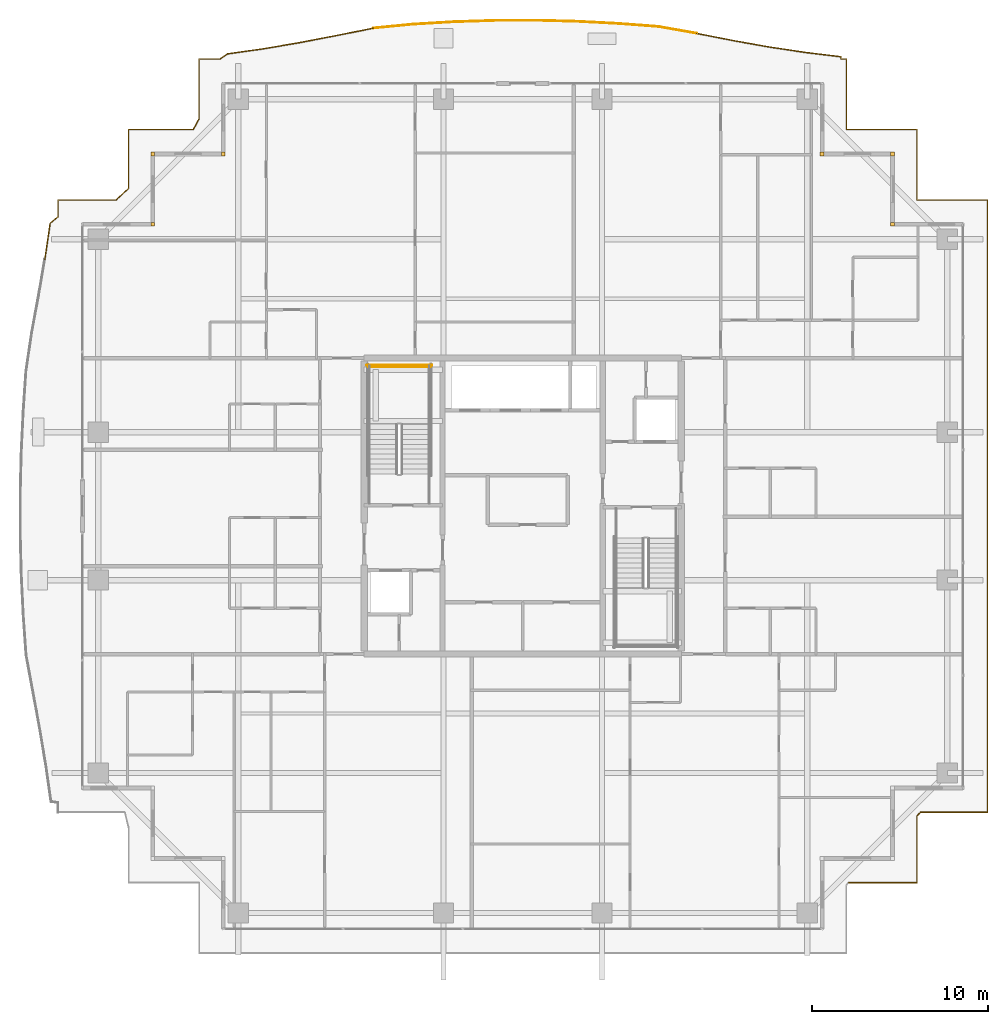
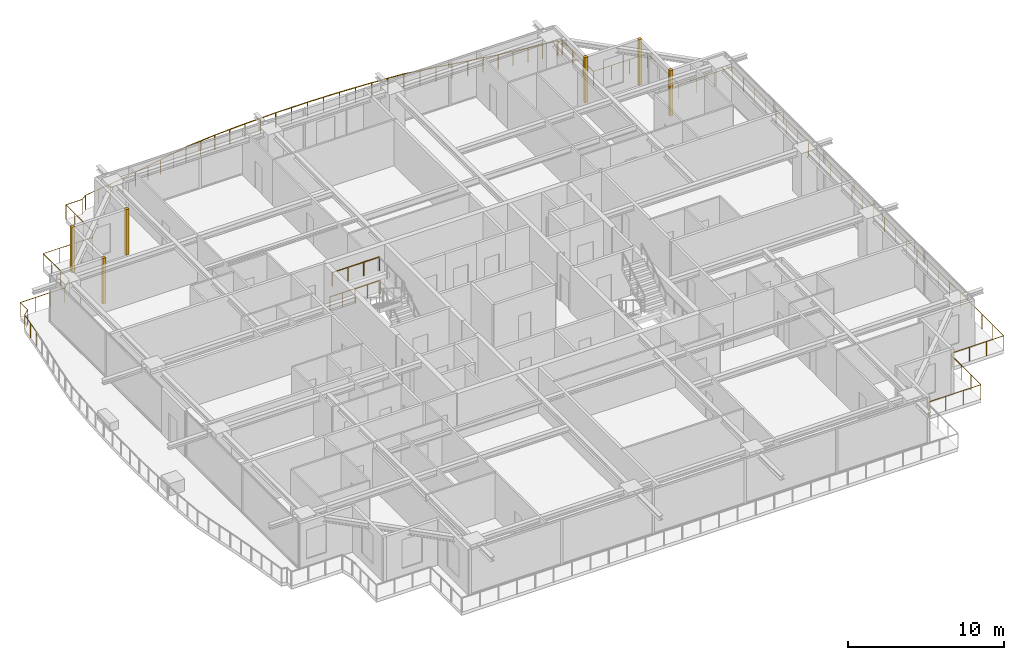
# One storey, part 38 of 38: 7 railings, 6 coverings.
"""IFC4 building model written with IfcOpenShell, lengths in metres."""

from ifc_helpers import new_model, si_unit, direction, frame, origin, origin_2d, place, context, subcontext, project, spatial, rectangle, circle, extrude, source, transform, mapped, material, layer, layer_set, type_object, element, save


model = new_model("IFC4")

# Units and contexts
model_context = context("Model", 3, precision=1e-05, world=origin(), true_north=direction((0.0, 1.0)))
body_context = subcontext(model_context, "Body", "Model", "MODEL_VIEW")
ifc_project = project(units=[si_unit("LENGTHUNIT", "METRE"), si_unit("AREAUNIT", "SQUARE_METRE"), si_unit("VOLUMEUNIT", "CUBIC_METRE"), si_unit("PLANEANGLEUNIT", "RADIAN"), si_unit("MASSUNIT", "GRAM", prefix="KILO")], contexts=[model_context])

# Site, building, storey
site_placement = place(None, origin())
site = spatial("IfcSite", under=ifc_project, at=site_placement, CompositionType="ELEMENT")
building_placement = place(site_placement, origin())
building = spatial("IfcBuilding", under=site, at=building_placement, Name="Serunith Strait Residences", CompositionType="ELEMENT")
storey_placement = place(building_placement, frame((0.0, 0.0, 237.39990234375)))
storey = spatial("IfcBuildingStorey", under=building, at=storey_placement, Name="L59", CompositionType="ELEMENT", Elevation=237.39990234375)

# Railings
ifc_material_1 = material(Name="Stainless Steel & Laminated Glass Balustrade", Category="steel")
railing_type_1 = type_object("IfcRailingType", Name="RLG-BALC-1150", PredefinedType="BALUSTRADE", material=ifc_material_1)
railing_1_placement = place(storey_placement, frame((5.271728515625, 39.21630859375, -0.0498046875)))
element("IfcRailing", 1, at=railing_1_placement, inside=storey, type_object=railing_type_1, Name="L59 Swirling Balcony Perimeter Balustrade 3", PredefinedType="BALUSTRADE", context=body_context, shape_type="SweptSolid", body=[
    extrude(circle(Radius=0.02392578125, at=origin_2d()), frame((0.000244140625, 0.001953125, 1.1259765625), z_axis=(0.14618741944, 0.989256912231, 0.0), x_axis=(-0.989256912231, 0.14618741944, 0.0)), (0.0, 0.0, 1.0), 2.053466796875),
    extrude(circle(Radius=0.02392578125, at=origin_2d()), frame((0.30224609375, 2.03662109375, 1.1259765625), z_axis=(0.762565105344, 0.646911477802, 0.0), x_axis=(-0.646911477802, 0.762565105344, 0.0)), (0.0, 0.0, 1.0), 0.582763671875),
    extrude(circle(Radius=0.02392578125, at=origin_2d()), frame((0.748291015625, 2.4169921875, 1.1259765625), z_axis=(0.0, 1.0, 0.0), x_axis=(-1.0, 0.0, 0.0)), (0.0, 0.0, 1.0), 0.94482421875),
    extrude(circle(Radius=0.02392578125, at=origin_2d()), frame((0.750244140625, 3.36376953125, 1.1259765625), z_axis=(1.0, 0.0, 0.0), x_axis=(0.0, 1.0, 0.0)), (0.0, 0.0, 1.0), 3.298828125),
    extrude(circle(Radius=0.02392578125, at=origin_2d()), frame((4.052490234375, 3.365234375, 1.1259765625), z_axis=(0.729728407582, 0.68373712139, 0.0), x_axis=(-0.68373712139, 0.729728407582, 0.0)), (0.0, 0.0, 1.0), 0.951416015625),
    extrude(circle(Radius=0.02392578125, at=origin_2d()), frame((4.748291015625, 4.01904296875, 1.1259765625), z_axis=(0.0, 1.0, 0.0), x_axis=(-1.0, 0.0, 0.0)), (0.0, 0.0, 1.0), 3.3427734375),
    extrude(circle(Radius=0.02392578125, at=origin_2d()), frame((4.750244140625, 7.36376953125, 1.1259765625), z_axis=(1.0, 0.0, 0.0), x_axis=(0.0, 1.0, 0.0)), (0.0, 0.0, 1.0), 3.673095703125),
    extrude(circle(Radius=0.02099609375, at=origin_2d()), origin(), (0.0, 0.0, 1.0), 1.099853515625),
    extrude(circle(Radius=0.02099609375, at=origin_2d()), frame((0.150390625, 1.017578125, 0.0)), (0.0, 0.0, 1.0), 1.099853515625),
    extrude(circle(Radius=0.02099609375, at=origin_2d()), frame((0.30078125, 2.035400390625, 0.0)), (0.0, 0.0, 1.0), 1.099853515625),
    extrude(circle(Radius=0.02099609375, at=origin_2d()), frame((0.748291015625, 2.4150390625, 0.0)), (0.0, 0.0, 1.0), 1.099853515625),
    extrude(circle(Radius=0.02099609375, at=origin_2d()), frame((0.748291015625, 3.36376953125, 0.0)), (0.0, 0.0, 1.0), 1.099853515625),
    extrude(circle(Radius=0.02099609375, at=origin_2d()), frame((1.84912109375, 3.36376953125, 0.0)), (0.0, 0.0, 1.0), 1.099853515625),
    extrude(circle(Radius=0.02099609375, at=origin_2d()), frame((2.9501953125, 3.36376953125, 0.0)), (0.0, 0.0, 1.0), 1.099853515625),
    extrude(circle(Radius=0.02099609375, at=origin_2d()), frame((4.051025390625, 3.36376953125, 0.0)), (0.0, 0.0, 1.0), 1.099853515625),
    extrude(circle(Radius=0.02099609375, at=origin_2d()), frame((4.748291015625, 4.01708984375, 0.0)), (0.0, 0.0, 1.0), 1.099853515625),
    extrude(circle(Radius=0.02099609375, at=origin_2d()), frame((4.748291015625, 5.132568359375, 0.0)), (0.0, 0.0, 1.0), 1.099853515625),
    extrude(circle(Radius=0.02099609375, at=origin_2d()), frame((4.748291015625, 6.248291015625, 0.0)), (0.0, 0.0, 1.0), 1.099853515625),
    extrude(circle(Radius=0.02099609375, at=origin_2d()), frame((4.748291015625, 7.36376953125, 0.0)), (0.0, 0.0, 1.0), 1.099853515625),
    extrude(circle(Radius=0.02099609375, at=origin_2d()), frame((5.973876953125, 7.36376953125, 0.0)), (0.0, 0.0, 1.0), 1.099853515625),
    extrude(circle(Radius=0.02099609375, at=origin_2d()), frame((7.19970703125, 7.36376953125, 0.0)), (0.0, 0.0, 1.0), 1.099853515625),
    extrude(circle(Radius=0.02099609375, at=origin_2d()), frame((8.42529296875, 7.36376953125, 0.0)), (0.0, 0.0, 1.0), 1.099853515625),
])
railing_2_placement = place(storey_placement, frame((13.697021484375, 46.580078125, -0.0498046875)))
element("IfcRailing", 2, at=railing_2_placement, inside=storey, type_object=railing_type_1, Name="L59 Swirling Balcony Perimeter Balustrade 4", PredefinedType="BALUSTRADE", context=body_context, shape_type="SweptSolid", body=[
    extrude(circle(Radius=0.02392578125, at=origin_2d()), frame((0.0009765625, 0.001708984375, 1.1259765625), z_axis=(0.482450608599, 0.875923176005, 0.0), x_axis=(-0.875923176005, 0.482450608599, 0.0)), (0.0, 0.0, 1.0), 0.66552734375),
    extrude(circle(Radius=0.02392578125, at=origin_2d()), frame((0.322998046875, 0.58837890625, 1.1259765625), z_axis=(0.0, 1.0, 0.0), x_axis=(-1.0, 0.0, 0.0)), (0.0, 0.0, 1.0), 3.40966796875),
    extrude(circle(Radius=0.02392578125, at=origin_2d()), frame((0.324951171875, 4.0, 1.1259765625), z_axis=(1.0, 0.0, 0.0), x_axis=(0.0, 1.0, 0.0)), (0.0, 0.0, 1.0), 1.194580078125),
    extrude(circle(Radius=0.02392578125, at=origin_2d()), frame((1.523193359375, 4.001220703125, 1.1259765625), z_axis=(0.819276517695, 0.573398628839, 0.0), x_axis=(-0.573398628839, 0.819276517695, 0.0)), (0.0, 0.0, 1.0), 0.51025390625),
    extrude(circle(Radius=0.02392578125, at=origin_2d()), frame((1.94482421875, 4.295166015625, 1.1259765625), z_axis=(0.990149370636, 0.140015084291, 0.0), x_axis=(-0.140015084291, 0.990149370636, 0.0)), (0.0, 0.0, 1.0), 2.037841796875),
    extrude(circle(Radius=0.02392578125, at=origin_2d()), frame((3.966552734375, 4.5810546875, 1.1259765625), z_axis=(0.985820754748, 0.167801786364, 0.0), x_axis=(-0.167801786364, 0.985820754748, 0.0)), (0.0, 0.0, 1.0), 2.06640625),
    extrude(circle(Radius=0.02392578125, at=origin_2d()), frame((6.007568359375, 4.9287109375, 1.1259765625), z_axis=(0.982046723557, 0.188637834888, 0.0), x_axis=(-0.188637834888, 0.982046723557, 0.0)), (0.0, 0.0, 1.0), 2.11328125),
    extrude(circle(Radius=0.02392578125, at=origin_2d()), frame((8.0869140625, 5.328125, 1.1259765625), z_axis=(0.980731095619, 0.195362529892, 0.0), x_axis=(-0.195362529892, 0.980731095619, 0.0)), (0.0, 0.0, 1.0), 2.1767578125),
    extrude(circle(Radius=0.02099609375, at=origin_2d()), origin(), (0.0, 0.0, 1.0), 1.099853515625),
    extrude(circle(Radius=0.02099609375, at=origin_2d()), frame((0.322998046875, 0.58642578125, 0.0)), (0.0, 0.0, 1.0), 1.099853515625),
    extrude(circle(Radius=0.02099609375, at=origin_2d()), frame((0.322998046875, 1.724365234375, 0.0)), (0.0, 0.0, 1.0), 1.099853515625),
    extrude(circle(Radius=0.02099609375, at=origin_2d()), frame((0.322998046875, 2.862060546875, 0.0)), (0.0, 0.0, 1.0), 1.099853515625),
    extrude(circle(Radius=0.02099609375, at=origin_2d()), frame((0.322998046875, 4.0, 0.0)), (0.0, 0.0, 1.0), 1.099853515625),
    extrude(circle(Radius=0.02099609375, at=origin_2d()), frame((1.521484375, 4.0, 0.0)), (0.0, 0.0, 1.0), 1.099853515625),
    extrude(circle(Radius=0.02099609375, at=origin_2d()), frame((1.94287109375, 4.294921875, 0.0)), (0.0, 0.0, 1.0), 1.099853515625),
    extrude(circle(Radius=0.02099609375, at=origin_2d()), frame((2.95361328125, 4.43798828125, 0.0)), (0.0, 0.0, 1.0), 1.099853515625),
    extrude(circle(Radius=0.02099609375, at=origin_2d()), frame((3.964599609375, 4.580810546875, 0.0)), (0.0, 0.0, 1.0), 1.099853515625),
    extrude(circle(Radius=0.02099609375, at=origin_2d()), frame((4.985107421875, 4.75439453125, 0.0)), (0.0, 0.0, 1.0), 1.099853515625),
    extrude(circle(Radius=0.02099609375, at=origin_2d()), frame((6.005615234375, 4.92822265625, 0.0)), (0.0, 0.0, 1.0), 1.099853515625),
    extrude(circle(Radius=0.02099609375, at=origin_2d()), frame((7.04541015625, 5.1279296875, 0.0)), (0.0, 0.0, 1.0), 1.099853515625),
    extrude(circle(Radius=0.02099609375, at=origin_2d()), frame((8.0849609375, 5.32763671875, 0.0)), (0.0, 0.0, 1.0), 1.099853515625),
    extrude(circle(Radius=0.02099609375, at=origin_2d()), frame((9.154296875, 5.54052734375, 0.0)), (0.0, 0.0, 1.0), 1.099853515625),
    extrude(circle(Radius=0.02099609375, at=origin_2d()), frame((10.2236328125, 5.753662109375, 0.0)), (0.0, 0.0, 1.0), 1.099853515625),
])
railing_3_placement = place(storey_placement, frame((23.920654296875, 52.333740234375, -0.0498046875)))
element("IfcRailing", 3, at=railing_3_placement, inside=storey, type_object=railing_type_1, Name="L59 Swirling Balcony Perimeter Balustrade 5", PredefinedType="BALUSTRADE", context=body_context, shape_type="SweptSolid", body=[
    extrude(circle(Radius=0.02392578125, at=origin_2d()), frame((0.001953125, 0.000244140625, 1.1259765625), z_axis=(0.995311334487, 0.096723045044, 0.0), x_axis=(-0.096723045044, 0.995311334487, 0.0)), (0.0, 0.0, 1.0), 2.26513671875),
    extrude(circle(Radius=0.02392578125, at=origin_2d()), frame((2.260498046875, 0.219482421875, 1.1259765625), z_axis=(0.998286733599, 0.058511516125, 0.0), x_axis=(-0.058511516125, 0.998286733599, 0.0)), (0.0, 0.0, 1.0), 2.3076171875),
    extrude(circle(Radius=0.02392578125, at=origin_2d()), frame((4.568115234375, 0.354736328125, 1.1259765625), z_axis=(0.99947466628, 0.032409743363, 0.0), x_axis=(-0.032409743363, 0.99947466628, 0.0)), (0.0, 0.0, 1.0), 2.331298828125),
    extrude(circle(Radius=0.02392578125, at=origin_2d()), frame((6.902099609375, 0.430419921875, 1.1259765625), z_axis=(0.99999373619, 0.003539432337, 0.0), x_axis=(-0.003539432337, 0.99999373619, 0.0)), (0.0, 0.0, 1.0), 2.34130859375),
    extrude(circle(Radius=0.02392578125, at=origin_2d()), frame((9.247314453125, 0.438720703125, 1.1259765625), z_axis=(0.999670401583, -0.0256727131, 0.0), x_axis=(0.0256727131, 0.999670401583, 0.0)), (0.0, 0.0, 1.0), 2.33544921875),
    extrude(circle(Radius=0.02392578125, at=origin_2d()), frame((11.5859375, 0.378662109375, 1.1259765625), z_axis=(0.998619863821, -0.05252016358, 0.0), x_axis=(0.05252016358, 0.998619863821, 0.0)), (0.0, 0.0, 1.0), 2.315673828125),
    extrude(circle(Radius=0.02392578125, at=origin_2d()), frame((13.90234375, 0.256591796875, 1.1259765625), z_axis=(0.997222736198, -0.074476938783, 0.0), x_axis=(0.074476938783, 0.997222736198, 0.0)), (0.0, 0.0, 1.0), 2.2841796875),
    extrude(circle(Radius=0.02392578125, at=origin_2d()), frame((16.18408203125, 0.086181640625, 1.1259765625), z_axis=(0.984656382254, -0.174504466666, 0.0), x_axis=(0.174504466666, 0.984656382254, 0.0)), (0.0, 0.0, 1.0), 2.20361328125),
    extrude(circle(Radius=0.02099609375, at=origin_2d()), origin(), (0.0, 0.0, 1.0), 1.099853515625),
    extrude(circle(Radius=0.02099609375, at=origin_2d()), frame((1.12939453125, 0.10986328125, 0.0)), (0.0, 0.0, 1.0), 1.099853515625),
    extrude(circle(Radius=0.02099609375, at=origin_2d()), frame((2.258544921875, 0.219482421875, 0.0)), (0.0, 0.0, 1.0), 1.099853515625),
    extrude(circle(Radius=0.02099609375, at=origin_2d()), frame((3.412353515625, 0.287109375, 0.0)), (0.0, 0.0, 1.0), 1.099853515625),
    extrude(circle(Radius=0.02099609375, at=origin_2d()), frame((4.566162109375, 0.354736328125, 0.0)), (0.0, 0.0, 1.0), 1.099853515625),
    extrude(circle(Radius=0.02099609375, at=origin_2d()), frame((5.733154296875, 0.392578125, 0.0)), (0.0, 0.0, 1.0), 1.099853515625),
    extrude(circle(Radius=0.02099609375, at=origin_2d()), frame((6.900146484375, 0.430419921875, 0.0)), (0.0, 0.0, 1.0), 1.099853515625),
    extrude(circle(Radius=0.02099609375, at=origin_2d()), frame((8.07275390625, 0.4345703125, 0.0)), (0.0, 0.0, 1.0), 1.099853515625),
    extrude(circle(Radius=0.02099609375, at=origin_2d()), frame((9.245361328125, 0.438720703125, 0.0)), (0.0, 0.0, 1.0), 1.099853515625),
    extrude(circle(Radius=0.02099609375, at=origin_2d()), frame((10.41455078125, 0.40869140625, 0.0)), (0.0, 0.0, 1.0), 1.099853515625),
    extrude(circle(Radius=0.02099609375, at=origin_2d()), frame((11.583984375, 0.378662109375, 0.0)), (0.0, 0.0, 1.0), 1.099853515625),
    extrude(circle(Radius=0.02099609375, at=origin_2d()), frame((12.7421875, 0.31787109375, 0.0)), (0.0, 0.0, 1.0), 1.099853515625),
    extrude(circle(Radius=0.02099609375, at=origin_2d()), frame((13.900390625, 0.2568359375, 0.0)), (0.0, 0.0, 1.0), 1.099853515625),
    extrude(circle(Radius=0.02099609375, at=origin_2d()), frame((15.041259765625, 0.171630859375, 0.0)), (0.0, 0.0, 1.0), 1.099853515625),
    extrude(circle(Radius=0.02099609375, at=origin_2d()), frame((16.18212890625, 0.08642578125, 0.0)), (0.0, 0.0, 1.0), 1.099853515625),
    extrude(circle(Radius=0.02099609375, at=origin_2d()), frame((17.26904296875, -0.106201171875, 0.0)), (0.0, 0.0, 1.0), 1.099853515625),
    extrude(circle(Radius=0.02099609375, at=origin_2d()), frame((18.35595703125, -0.298828125, 0.0)), (0.0, 0.0, 1.0), 1.099853515625),
])
railing_4_placement = place(storey_placement, frame((42.276611328125, 52.034912109375, -0.0498046875)))
element("IfcRailing", 4, at=railing_4_placement, inside=storey, type_object=railing_type_1, Name="L59 Swirling Balcony Perimeter Balustrade 6", PredefinedType="BALUSTRADE", context=body_context, shape_type="SweptSolid", body=[
    extrude(circle(Radius=0.02392578125, at=origin_2d()), frame((0.001953125, -0.00048828125, 1.1259765625), z_axis=(0.98133362817, -0.192313052656, 0.0), x_axis=(0.192313052656, 0.98133362817, 0.0)), (0.0, 0.0, 1.0), 2.132568359375),
    extrude(circle(Radius=0.02392578125, at=origin_2d()), frame((2.0986328125, -0.4111328125, 1.1259765625), z_axis=(0.984607337268, -0.174780981226, 0.0), x_axis=(0.174780981226, 0.984607337268, 0.0)), (0.0, 0.0, 1.0), 2.080078125),
    extrude(circle(Radius=0.02392578125, at=origin_2d()), frame((4.150634765625, -0.775390625, 1.1259765625), z_axis=(0.988889122997, -0.148654977777, 0.0), x_axis=(0.148654977777, 0.988889122997, 0.0)), (0.0, 0.0, 1.0), 2.045654296875),
    extrude(circle(Radius=0.02392578125, at=origin_2d()), frame((6.177490234375, -1.080078125, 1.1259765625), z_axis=(0.992731173019, -0.120352889941, 0.0), x_axis=(0.120352889941, 0.992731173019, 0.0)), (0.0, 0.0, 1.0), 2.028564453125),
    extrude(circle(Radius=0.02392578125, at=origin_2d()), frame((8.193359375, -1.326416015625, 1.1259765625), z_axis=(-0.007490426565, -0.999971946361, 0.0), x_axis=(0.999971946361, -0.007490426565, 0.0)), (0.0, 0.0, 1.0), 0.12646484375),
    extrude(circle(Radius=0.02392578125, at=origin_2d()), frame((8.1943359375, -1.454833984375, 1.1259765625), z_axis=(1.0, 0.0, 0.0), x_axis=(0.0, 1.0, 0.0)), (0.0, 0.0, 1.0), 0.30712890625),
    extrude(circle(Radius=0.02392578125, at=origin_2d()), frame((8.50341796875, -1.456787109375, 1.1259765625), z_axis=(0.0, -1.0, 0.0), x_axis=(1.0, 0.0, 0.0)), (0.0, 0.0, 1.0), 3.99609375),
    extrude(circle(Radius=0.02099609375, at=origin_2d()), origin(), (0.0, 0.0, 1.0), 1.099853515625),
    extrude(circle(Radius=0.02099609375, at=origin_2d()), frame((1.04833984375, -0.20556640625, 0.0)), (0.0, 0.0, 1.0), 1.099853515625),
    extrude(circle(Radius=0.02099609375, at=origin_2d()), frame((2.0966796875, -0.410888671875, 0.0)), (0.0, 0.0, 1.0), 1.099853515625),
    extrude(circle(Radius=0.02099609375, at=origin_2d()), frame((3.12255859375, -0.593017578125, 0.0)), (0.0, 0.0, 1.0), 1.099853515625),
    extrude(circle(Radius=0.02099609375, at=origin_2d()), frame((4.148681640625, -0.775146484375, 0.0)), (0.0, 0.0, 1.0), 1.099853515625),
    extrude(circle(Radius=0.02099609375, at=origin_2d()), frame((5.162109375, -0.927490234375, 0.0)), (0.0, 0.0, 1.0), 1.099853515625),
    extrude(circle(Radius=0.02099609375, at=origin_2d()), frame((6.175537109375, -1.079833984375, 0.0)), (0.0, 0.0, 1.0), 1.099853515625),
    extrude(circle(Radius=0.02099609375, at=origin_2d()), frame((7.1845703125, -1.2021484375, 0.0)), (0.0, 0.0, 1.0), 1.099853515625),
    extrude(circle(Radius=0.02099609375, at=origin_2d()), frame((8.193359375, -1.324462890625, 0.0)), (0.0, 0.0, 1.0), 1.099853515625),
    extrude(circle(Radius=0.02099609375, at=origin_2d()), frame((8.1923828125, -1.454833984375, 0.0)), (0.0, 0.0, 1.0), 1.099853515625),
    extrude(circle(Radius=0.02099609375, at=origin_2d()), frame((8.50341796875, -1.454833984375, 0.0)), (0.0, 0.0, 1.0), 1.099853515625),
    extrude(circle(Radius=0.02099609375, at=origin_2d()), frame((8.50341796875, -2.7880859375, 0.0)), (0.0, 0.0, 1.0), 1.099853515625),
    extrude(circle(Radius=0.02099609375, at=origin_2d()), frame((8.50341796875, -4.12158203125, 0.0)), (0.0, 0.0, 1.0), 1.099853515625),
    extrude(circle(Radius=0.02099609375, at=origin_2d()), frame((8.50341796875, -5.454833984375, 0.0)), (0.0, 0.0, 1.0), 1.099853515625),
])
railing_5_placement = place(storey_placement, frame((50.780029296875, 46.580078125, -0.0498046875)))
element("IfcRailing", 5, at=railing_5_placement, inside=storey, type_object=railing_type_1, Name="L59 Swirling Balcony Perimeter Balustrade 7", PredefinedType="BALUSTRADE", context=body_context, shape_type="SweptSolid", body=[
    extrude(circle(Radius=0.02392578125, at=origin_2d()), frame((0.001953125, 0.0, 1.1259765625), z_axis=(1.0, 0.0, 0.0), x_axis=(0.0, 1.0, 0.0)), (0.0, 0.0, 1.0), 3.99609375),
    extrude(circle(Radius=0.02392578125, at=origin_2d()), frame((4.0, -0.001953125, 1.1259765625), z_axis=(0.0, -1.0, 0.0), x_axis=(1.0, 0.0, 0.0)), (0.0, 0.0, 1.0), 3.99609375),
    extrude(circle(Radius=0.02392578125, at=origin_2d()), frame((4.001953125, -4.0, 1.1259765625), z_axis=(1.0, 0.0, 0.0), x_axis=(0.0, 1.0, 0.0)), (0.0, 0.0, 1.0), 3.99609375),
    extrude(circle(Radius=0.02392578125, at=origin_2d()), frame((8.0, -4.001953125, 1.1259765625), z_axis=(0.0, -1.0, 0.0), x_axis=(1.0, 0.0, 0.0)), (0.0, 0.0, 1.0), 34.756103515625),
    extrude(circle(Radius=0.02392578125, at=origin_2d()), frame((7.998046875, -38.760009765625, 1.1259765625), z_axis=(-1.0, 0.0, 0.0), x_axis=(0.0, -1.0, 0.0)), (0.0, 0.0, 1.0), 3.801025390625),
    extrude(circle(Radius=0.02392578125, at=origin_2d()), frame((4.19384765625, -38.761474609375, 1.1259765625), z_axis=(-0.659789800433, -0.751450210756, 0.0), x_axis=(0.751450210756, -0.659789800433, 0.0)), (0.0, 0.0, 1.0), 0.291748046875),
    extrude(circle(Radius=0.02392578125, at=origin_2d()), frame((4.0, -38.984130859375, 1.1259765625), z_axis=(0.0, -1.0, 0.0), x_axis=(1.0, 0.0, 0.0)), (0.0, 0.0, 1.0), 3.77392578125),
    extrude(circle(Radius=0.02392578125, at=origin_2d()), frame((3.998046875, -42.760009765625, 1.1259765625), z_axis=(-1.0, 0.0, 0.0), x_axis=(0.0, -1.0, 0.0)), (0.0, 0.0, 1.0), 3.89501953125),
    extrude(circle(Radius=0.02099609375, at=origin_2d()), origin(), (0.0, 0.0, 1.0), 1.099853515625),
    extrude(circle(Radius=0.02099609375, at=origin_2d()), frame((1.333251953125, 0.0, 0.0)), (0.0, 0.0, 1.0), 1.099853515625),
    extrude(circle(Radius=0.02099609375, at=origin_2d()), frame((2.666748046875, 0.0, 0.0)), (0.0, 0.0, 1.0), 1.099853515625),
    extrude(circle(Radius=0.02099609375, at=origin_2d()), frame((4.0, 0.0, 0.0)), (0.0, 0.0, 1.0), 1.099853515625),
    extrude(circle(Radius=0.02099609375, at=origin_2d()), frame((4.0, -1.333251953125, 0.0)), (0.0, 0.0, 1.0), 1.099853515625),
    extrude(circle(Radius=0.02099609375, at=origin_2d()), frame((4.0, -2.666748046875, 0.0)), (0.0, 0.0, 1.0), 1.099853515625),
    extrude(circle(Radius=0.02099609375, at=origin_2d()), frame((4.0, -4.0, 0.0)), (0.0, 0.0, 1.0), 1.099853515625),
    extrude(circle(Radius=0.02099609375, at=origin_2d()), frame((5.333251953125, -4.0, 0.0)), (0.0, 0.0, 1.0), 1.099853515625),
    extrude(circle(Radius=0.02099609375, at=origin_2d()), frame((6.666748046875, -4.0, 0.0)), (0.0, 0.0, 1.0), 1.099853515625),
    extrude(circle(Radius=0.02099609375, at=origin_2d()), frame((8.0, -4.0, 0.0)), (0.0, 0.0, 1.0), 1.099853515625),
    extrude(circle(Radius=0.02099609375, at=origin_2d()), frame((8.0, -5.390380859375, 0.0)), (0.0, 0.0, 1.0), 1.099853515625),
    extrude(circle(Radius=0.02099609375, at=origin_2d()), frame((8.0, -6.78076171875, 0.0)), (0.0, 0.0, 1.0), 1.099853515625),
    extrude(circle(Radius=0.02099609375, at=origin_2d()), frame((8.0, -8.171142578125, 0.0)), (0.0, 0.0, 1.0), 1.099853515625),
    extrude(circle(Radius=0.02099609375, at=origin_2d()), frame((8.0, -9.5615234375, 0.0)), (0.0, 0.0, 1.0), 1.099853515625),
    extrude(circle(Radius=0.02099609375, at=origin_2d()), frame((8.0, -10.951904296875, 0.0)), (0.0, 0.0, 1.0), 1.099853515625),
    extrude(circle(Radius=0.02099609375, at=origin_2d()), frame((8.0, -12.34228515625, 0.0)), (0.0, 0.0, 1.0), 1.099853515625),
    extrude(circle(Radius=0.02099609375, at=origin_2d()), frame((8.0, -13.73291015625, 0.0)), (0.0, 0.0, 1.0), 1.099853515625),
    extrude(circle(Radius=0.02099609375, at=origin_2d()), frame((8.0, -15.123291015625, 0.0)), (0.0, 0.0, 1.0), 1.099853515625),
    extrude(circle(Radius=0.02099609375, at=origin_2d()), frame((8.0, -16.513671875, 0.0)), (0.0, 0.0, 1.0), 1.099853515625),
    extrude(circle(Radius=0.02099609375, at=origin_2d()), frame((8.0, -17.904052734375, 0.0)), (0.0, 0.0, 1.0), 1.099853515625),
    extrude(circle(Radius=0.02099609375, at=origin_2d()), frame((8.0, -19.29443359375, 0.0)), (0.0, 0.0, 1.0), 1.099853515625),
    extrude(circle(Radius=0.02099609375, at=origin_2d()), frame((8.0, -20.684814453125, 0.0)), (0.0, 0.0, 1.0), 1.099853515625),
    extrude(circle(Radius=0.02099609375, at=origin_2d()), frame((8.0, -22.0751953125, 0.0)), (0.0, 0.0, 1.0), 1.099853515625),
    extrude(circle(Radius=0.02099609375, at=origin_2d()), frame((8.0, -23.465576171875, 0.0)), (0.0, 0.0, 1.0), 1.099853515625),
    extrude(circle(Radius=0.02099609375, at=origin_2d()), frame((8.0, -24.85595703125, 0.0)), (0.0, 0.0, 1.0), 1.099853515625),
    extrude(circle(Radius=0.02099609375, at=origin_2d()), frame((8.0, -26.246337890625, 0.0)), (0.0, 0.0, 1.0), 1.099853515625),
    extrude(circle(Radius=0.02099609375, at=origin_2d()), frame((8.0, -27.63671875, 0.0)), (0.0, 0.0, 1.0), 1.099853515625),
    extrude(circle(Radius=0.02099609375, at=origin_2d()), frame((8.0, -29.027099609375, 0.0)), (0.0, 0.0, 1.0), 1.099853515625),
    extrude(circle(Radius=0.02099609375, at=origin_2d()), frame((8.0, -30.417724609375, 0.0)), (0.0, 0.0, 1.0), 1.099853515625),
    extrude(circle(Radius=0.02099609375, at=origin_2d()), frame((8.0, -31.80810546875, 0.0)), (0.0, 0.0, 1.0), 1.099853515625),
    extrude(circle(Radius=0.02099609375, at=origin_2d()), frame((8.0, -33.198486328125, 0.0)), (0.0, 0.0, 1.0), 1.099853515625),
    extrude(circle(Radius=0.02099609375, at=origin_2d()), frame((8.0, -34.5888671875, 0.0)), (0.0, 0.0, 1.0), 1.099853515625),
    extrude(circle(Radius=0.02099609375, at=origin_2d()), frame((8.0, -35.979248046875, 0.0)), (0.0, 0.0, 1.0), 1.099853515625),
    extrude(circle(Radius=0.02099609375, at=origin_2d()), frame((8.0, -37.36962890625, 0.0)), (0.0, 0.0, 1.0), 1.099853515625),
    extrude(circle(Radius=0.02099609375, at=origin_2d()), frame((8.0, -38.760009765625, 0.0)), (0.0, 0.0, 1.0), 1.099853515625),
    extrude(circle(Radius=0.02099609375, at=origin_2d()), frame((6.731689453125, -38.760009765625, 0.0)), (0.0, 0.0, 1.0), 1.099853515625),
    extrude(circle(Radius=0.02099609375, at=origin_2d()), frame((5.46337890625, -38.760009765625, 0.0)), (0.0, 0.0, 1.0), 1.099853515625),
    extrude(circle(Radius=0.02099609375, at=origin_2d()), frame((4.195068359375, -38.760009765625, 0.0)), (0.0, 0.0, 1.0), 1.099853515625),
    extrude(circle(Radius=0.02099609375, at=origin_2d()), frame((4.0, -38.982177734375, 0.0)), (0.0, 0.0, 1.0), 1.099853515625),
    extrude(circle(Radius=0.02099609375, at=origin_2d()), frame((4.0, -40.241455078125, 0.0)), (0.0, 0.0, 1.0), 1.099853515625),
    extrude(circle(Radius=0.02099609375, at=origin_2d()), frame((4.0, -41.500732421875, 0.0)), (0.0, 0.0, 1.0), 1.099853515625),
    extrude(circle(Radius=0.02099609375, at=origin_2d()), frame((4.0, -42.760009765625, 0.0)), (0.0, 0.0, 1.0), 1.099853515625),
    extrude(circle(Radius=0.02099609375, at=origin_2d()), frame((2.700439453125, -42.760009765625, 0.0)), (0.0, 0.0, 1.0), 1.099853515625),
    extrude(circle(Radius=0.02099609375, at=origin_2d()), frame((1.400634765625, -42.760009765625, 0.0)), (0.0, 0.0, 1.0), 1.099853515625),
    extrude(circle(Radius=0.02099609375, at=origin_2d()), frame((0.10107421875, -42.760009765625, 0.0)), (0.0, 0.0, 1.0), 1.099853515625),
])
ifc_material_2 = material(Name="Brushed stainless steel 316L", Category="steel")
railing_type_2 = type_object("IfcRailingType", Name="RLG-STAIR-GUARD", PredefinedType="BALUSTRADE", material=ifc_material_2)
railing_6_placement = place(storey_placement, frame((27.14990234375, 33.10009765625, 1.925048828125)))
element("IfcRailing", 6, at=railing_6_placement, inside=storey, type_object=railing_type_2, Name="L59 ST-1 stair guard 5", PredefinedType="BALUSTRADE", context=body_context, shape_type="SweptSolid", body=[
    extrude(circle(Radius=0.02392578125, at=origin_2d()), frame((-0.001953125, 0.0, 1.076171875), z_axis=(-1.0, 0.0, 0.0), x_axis=(0.0, -1.0, 0.0)), (0.0, 0.0, 1.0), 3.49609375),
    extrude(circle(Radius=0.02099609375, at=origin_2d()), origin(), (0.0, 0.0, 1.0), 1.050048828125),
    extrude(circle(Radius=0.02099609375, at=origin_2d()), frame((-1.166748046875, 0.0, 0.0)), (0.0, 0.0, 1.0), 1.050048828125),
    extrude(circle(Radius=0.02099609375, at=origin_2d()), frame((-2.333251953125, 0.0, 0.0)), (0.0, 0.0, 1.0), 1.050048828125),
    extrude(circle(Radius=0.02099609375, at=origin_2d()), frame((-3.5, 0.0, 0.0)), (0.0, 0.0, 1.0), 1.050048828125),
])
railing_7_placement = place(storey_placement, frame((27.25, 33.199951171875, 0.0)))
element("IfcRailing", 7, at=railing_7_placement, inside=storey, type_object=railing_type_2, Name="L59 ST-1 stair guard 12", PredefinedType="BALUSTRADE", context=body_context, shape_type="SweptSolid", body=[
    extrude(circle(Radius=0.02392578125, at=origin_2d()), frame((-0.001953125, 0.0, 1.076171875), z_axis=(-1.0, 0.0, 0.0), x_axis=(0.0, -1.0, 0.0)), (0.0, 0.0, 1.0), 3.696044921875),
    extrude(circle(Radius=0.02099609375, at=origin_2d()), origin(), (0.0, 0.0, 1.0), 1.050048828125),
    extrude(circle(Radius=0.02099609375, at=origin_2d()), frame((-0.925048828125, 0.0, 0.0)), (0.0, 0.0, 1.0), 1.050048828125),
    extrude(circle(Radius=0.02099609375, at=origin_2d()), frame((-1.85009765625, 0.0, 0.0)), (0.0, 0.0, 1.0), 1.050048828125),
    extrude(circle(Radius=0.02099609375, at=origin_2d()), frame((-2.77490234375, 0.0, 0.0)), (0.0, 0.0, 1.0), 1.050048828125),
    extrude(circle(Radius=0.02099609375, at=origin_2d()), frame((-3.699951171875, 0.0, 0.0)), (0.0, 0.0, 1.0), 1.050048828125),
])

# Coverings
ifc_material_3 = material(Name="Pale-Champagne Anodised Aluminium", Category="aluminium")
ifc_layer = layer(ifc_material_3, 0.219970703125, Name="Pale-Champagne Anodised Aluminium")
ifc_layer_set = layer_set([ifc_layer], Name="Pale-Champagne Anodised Aluminium")
covering_type = type_object("IfcCoveringType", Name="COV-CORN-TRIM", PredefinedType="CLADDING", material=ifc_layer_set)
shared_shape = source(origin(), body_context, "Body", "SweptSolid", [
    extrude(rectangle(XDim=0.221923828125, YDim=0.221923828125, at=origin_2d()), origin(), (0.0, 0.0, 1.0), 3.574951171875),
])
for number, where, z_axis, x_axis, name in (
    (8, (53.39990234375, 41.199951171875, 0.0), (0.0, 0.0, 1.0), (1.0, 0.0, 0.0), "L59 Girih Serrated Corner Trim Post 07"),
    (9, (53.39990234375, 45.199951171875, 0.0), (0.0, 0.0, 1.0), (1.0, 0.0, 0.0), "L59 Girih Serrated Corner Trim Post 08"),
    (10, (49.39990234375, 45.199951171875, 0.0), (0.0, 0.0, 1.0), (1.0, 0.0, 0.0), "L59 Girih Serrated Corner Trim Post 09"),
    (11, (15.39990234375, 45.199951171875, 0.0), (0.0, 0.0, 1.0), (1.0, 0.0, 0.0), "L59 Girih Serrated Corner Trim Post 12"),
    (12, (11.39990234375, 45.199951171875, 0.0), (0.0, 0.0, 1.0), (1.0, 0.0, 0.0), "L59 Girih Serrated Corner Trim Post 13"),
    (13, (11.39990234375, 41.199951171875, 0.0), (0.0, 0.0, 1.0), (1.0, 0.0, 0.0), "L59 Girih Serrated Corner Trim Post 14"),
):
    element("IfcCovering", number, at=place(storey_placement, frame(where, z_axis=z_axis, x_axis=x_axis)), inside=storey, type_object=covering_type, Name=name, PredefinedType="CLADDING", context=body_context, shape_type="MappedRepresentation", body=[
        mapped(shared_shape, transform((0.0, 0.0, 0.0), scale=1.0)),
    ])

save(model, "model.ifc")
